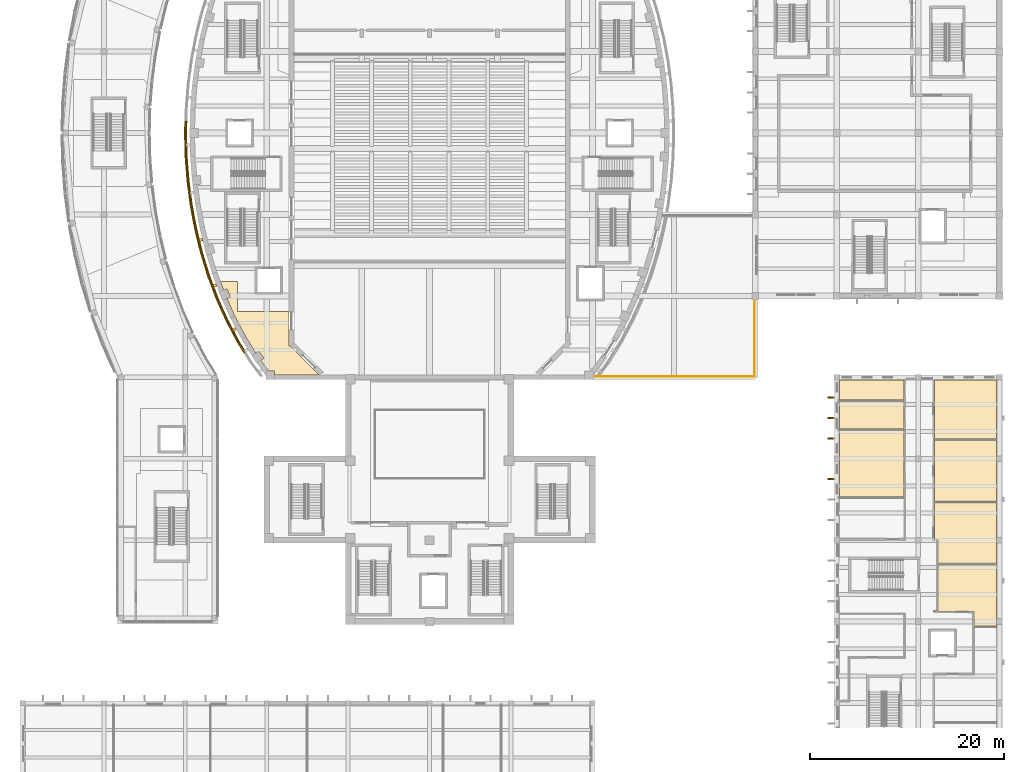
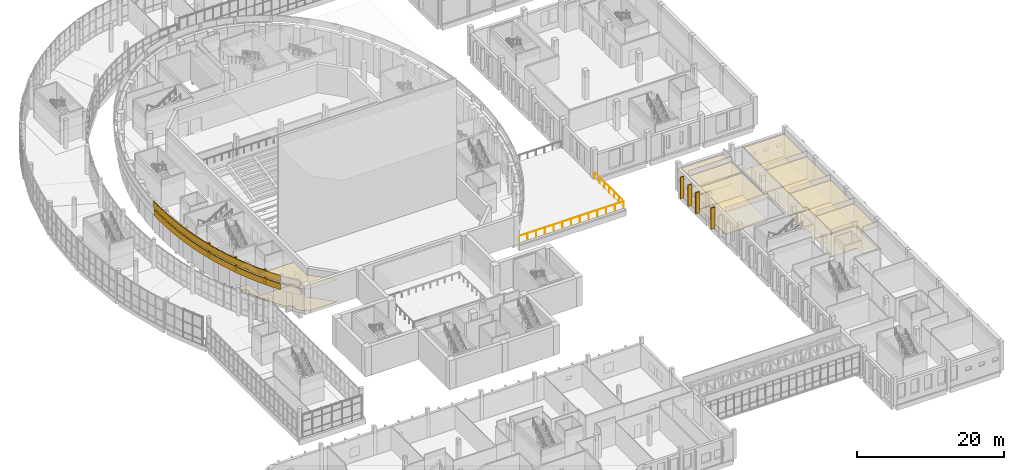
# One storey, part 98 of 119: 28 coverings, 1 railing.
"""IFC4 building model written with IfcOpenShell, lengths in metres."""

from ifc_helpers import new_model, si_unit, direction, frame, origin, origin_2d, place, context, subcontext, project, spatial, polyline, rectangle, circle, outline, extrude, material, layer, layer_set, type_object, element, save


model = new_model("IFC4")

# Units and contexts
model_context = context("Model", 3, precision=1e-05, world=origin(), true_north=direction((0.0, 1.0)))
body_context = subcontext(model_context, "Body", "Model", "MODEL_VIEW")
ifc_project = project(units=[si_unit("LENGTHUNIT", "METRE"), si_unit("AREAUNIT", "SQUARE_METRE"), si_unit("VOLUMEUNIT", "CUBIC_METRE"), si_unit("PLANEANGLEUNIT", "RADIAN"), si_unit("MASSUNIT", "GRAM", prefix="KILO")], contexts=[model_context])

# Site, building, storey
site_placement = place(None, origin())
site = spatial("IfcSite", under=ifc_project, at=site_placement, CompositionType="ELEMENT")
building_placement = place(site_placement, origin())
building = spatial("IfcBuilding", under=site, at=building_placement, Name="Larchfold Concert Hall", CompositionType="ELEMENT")
storey_placement = place(building_placement, frame((0.0, 0.0, 4.800048828125)))
storey = spatial("IfcBuildingStorey", under=building, at=storey_placement, Name="L01", CompositionType="ELEMENT", Elevation=4.800048828125)

# Coverings
ifc_material_1 = material(Name="Mineral fibre ceiling tile")
ifc_layer_1 = layer(ifc_material_1, 0.02001953125)
ifc_layer_set_1 = layer_set([ifc_layer_1], Name="Mineral fibre ceiling tile")
covering_type_1 = type_object("IfcCoveringType", Name="Ceiling mineral fibre tile 20", PredefinedType="CEILING", material=ifc_layer_set_1)
covering_1_placement = place(storey_placement, frame((0.0, 0.0, 3.719970703125)))
element("IfcCovering", 1, at=covering_1_placement, inside=storey, type_object=covering_type_1, Name="Ceiling Musicians' Showers", PredefinedType="CEILING", context=body_context, shape_type="SweptSolid", body=[
    extrude(outline(polyline([(91.534912109375, 47.0), (91.53759765625, 54.0), (91.534912109375, 53.949951171875), (84.900146484375, 53.949951171875), (84.900146484375, 47.050048828125), (91.534912109375, 47.050048828125), (91.534912109375, 47.0)])), origin(), (0.0, 0.0, 1.0), 0.02001953125),
])
ifc_material_2 = material(Name="Plasterboard ceiling lining")
ifc_layer_2 = layer(ifc_material_2, 0.030029296875)
ifc_layer_set_2 = layer_set([ifc_layer_2], Name="Plasterboard ceiling lining")
covering_type_2 = type_object("IfcCoveringType", Name="Ceiling suspended plasterboard 30", PredefinedType="CEILING", material=ifc_layer_set_2)
covering_2_placement = place(storey_placement, frame((0.0, 0.0, 3.669921875)))
element("IfcCovering", 2, at=covering_2_placement, inside=storey, type_object=covering_type_2, Name="Ceiling Hall Foyer South West", PredefinedType="CEILING", context=body_context, shape_type="SweptSolid", body=[
    extrude(outline(polyline([(28.10009765625, 66.199951171875), (22.800048828125, 66.199951171875), (22.800048828125, 69.300048828125), (21.00634765625, 69.300048828125), (21.3505859375, 68.375244140625), (21.7080078125, 68.52099609375), (22.0478515625, 67.6875), (21.690673828125, 67.5419921875), (22.4970703125, 65.731201171875), (23.63134765625, 63.580078125), (24.67626953125, 61.89794921875), (24.993896484375, 62.112060546875), (25.4970703125, 61.36572265625), (25.179931640625, 61.152099609375), (25.987060546875, 60.0498046875), (26.60302734375, 60.0498046875), (26.60302734375, 59.64990234375), (31.196533203125, 59.64990234375), (28.24609375, 62.600341796875), (28.29443359375, 62.648681640625), (28.10009765625, 62.648681640625), (28.10009765625, 66.199951171875)])), origin(), (0.0, 0.0, 1.0), 0.030029296875),
])
covering_3_placement = place(storey_placement, frame((0.0, 0.0, 3.7099609375)))
element("IfcCovering", 3, at=covering_3_placement, inside=storey, type_object=covering_type_2, Name="Ceiling Dressing Room 03", PredefinedType="CEILING", context=body_context, shape_type="SweptSolid", body=[
    extrude(outline(polyline([(95.0615234375, 40.09912109375), (95.0615234375, 35.28857421875), (94.9365234375, 35.28857421875), (94.9365234375, 35.349853515625), (94.60009765625, 35.349853515625), (94.60009765625, 35.199951171875), (94.66162109375, 35.199951171875), (94.661865234375, 35.271240234375), (98.76171875, 35.26123046875), (98.761474609375, 33.663330078125), (98.764892578125, 33.713134765625), (101.099853515625, 33.713134765625), (101.099853515625, 40.049072265625), (95.06494140625, 40.049072265625), (95.0615234375, 40.09912109375)])), origin(), (0.0, 0.0, 1.0), 0.030029296875),
])
covering_4_placement = place(storey_placement, frame((0.0, 0.0, 3.7099609375)))
element("IfcCovering", 4, at=covering_4_placement, inside=storey, type_object=covering_type_2, Name="Ceiling Dressing Room 04", PredefinedType="CEILING", context=body_context, shape_type="SweptSolid", body=[
    extrude(outline(polyline([(94.6650390625, 46.53466796875), (94.66162109375, 42.650146484375), (95.0, 42.650146484375), (95.0, 42.58642578125), (95.0615234375, 42.58642578125), (95.0615234375, 40.09912109375), (95.06494140625, 40.149169921875), (101.099853515625, 40.149169921875), (101.099853515625, 46.48486328125), (94.6650390625, 46.48486328125), (94.6650390625, 46.53466796875)])), origin(), (0.0, 0.0, 1.0), 0.030029296875),
])
covering_5_placement = place(storey_placement, frame((0.0, 0.0, 3.7099609375)))
element("IfcCovering", 5, at=covering_5_placement, inside=storey, type_object=covering_type_2, Name="Ceiling Dressing Room 05", PredefinedType="CEILING", context=body_context, shape_type="SweptSolid", body=[
    extrude(outline(polyline([(94.66162109375, 46.53466796875), (94.6650390625, 46.5849609375), (101.099853515625, 46.5849609375), (101.099853515625, 52.919921875), (94.6650390625, 52.919921875), (94.6650390625, 52.97021484375), (94.66162109375, 46.53466796875)])), origin(), (0.0, 0.0, 1.0), 0.030029296875),
])
covering_6_placement = place(storey_placement, frame((0.0, 0.0, 3.7099609375)))
element("IfcCovering", 6, at=covering_6_placement, inside=storey, type_object=covering_type_2, Name="Ceiling Dressing Room 01", PredefinedType="CEILING", context=body_context, shape_type="SweptSolid", body=[
    extrude(outline(polyline([(91.534912109375, 54.0), (91.53759765625, 57.0), (91.534912109375, 56.949951171875), (84.900146484375, 56.949951171875), (84.900146484375, 54.050048828125), (91.534912109375, 54.050048828125), (91.534912109375, 54.0)])), origin(), (0.0, 0.0, 1.0), 0.030029296875),
])
covering_7_placement = place(storey_placement, frame((0.0, 0.0, 3.7099609375)))
element("IfcCovering", 7, at=covering_7_placement, inside=storey, type_object=covering_type_2, Name="Ceiling Dressing Room 02", PredefinedType="CEILING", context=body_context, shape_type="SweptSolid", body=[
    extrude(outline(polyline([(91.534912109375, 57.0), (91.53759765625, 59.099853515625), (84.900146484375, 59.099853515625), (84.900146484375, 57.050048828125), (91.534912109375, 57.050048828125), (91.534912109375, 57.0)])), origin(), (0.0, 0.0, 1.0), 0.030029296875),
])
covering_8_placement = place(storey_placement, frame((0.0, 0.0, 3.7099609375)))
element("IfcCovering", 8, at=covering_8_placement, inside=storey, type_object=covering_type_2, Name="Ceiling Dressing Room 06", PredefinedType="CEILING", context=body_context, shape_type="SweptSolid", body=[
    extrude(outline(polyline([(94.6650390625, 52.97021484375), (94.6650390625, 53.02001953125), (101.099853515625, 53.02001953125), (101.099853515625, 59.099853515625), (94.66259765625, 59.099853515625), (94.6650390625, 52.97021484375)])), origin(), (0.0, 0.0, 1.0), 0.030029296875),
])
ifc_material_3 = material(Name="Ceramic tile")
ifc_layer_3 = layer(ifc_material_3, 0.030029296875)
ifc_layer_set_3 = layer_set([ifc_layer_3], Name="Ceramic tile")
covering_type_3 = type_object("IfcCoveringType", Name="Floor finish ceramic tile 30", PredefinedType="FLOORING", material=ifc_layer_set_3)
covering_9_placement = place(storey_placement, origin())
element("IfcCovering", 9, at=covering_9_placement, inside=storey, type_object=covering_type_3, Name="Floor finish Musicians' Showers", PredefinedType="FLOORING", context=body_context, shape_type="SweptSolid", body=[
    extrude(outline(polyline([(91.534912109375, 47.0), (91.53759765625, 54.0), (91.534912109375, 53.949951171875), (84.900146484375, 53.949951171875), (84.900146484375, 47.050048828125), (91.534912109375, 47.050048828125), (91.534912109375, 47.0)])), origin(), (0.0, 0.0, 1.0), 0.030029296875),
])
ifc_material_4 = material(Name="Polished terrazzo")
ifc_layer_4 = layer(ifc_material_4, 0.0400390625)
ifc_layer_set_4 = layer_set([ifc_layer_4], Name="Polished terrazzo")
covering_type_4 = type_object("IfcCoveringType", Name="Floor finish terrazzo 40", PredefinedType="FLOORING", material=ifc_layer_set_4)
covering_10_placement = place(storey_placement, origin())
element("IfcCovering", 10, at=covering_10_placement, inside=storey, type_object=covering_type_4, Name="Floor finish Hall Foyer South West", PredefinedType="FLOORING", context=body_context, shape_type="SweptSolid", body=[
    extrude(outline(polyline([(28.10009765625, 66.199951171875), (22.800048828125, 66.199951171875), (22.800048828125, 69.300048828125), (21.00634765625, 69.300048828125), (21.3505859375, 68.375244140625), (21.7080078125, 68.52099609375), (22.0478515625, 67.6875), (21.690673828125, 67.5419921875), (22.4970703125, 65.731201171875), (23.63134765625, 63.580078125), (24.67626953125, 61.89794921875), (24.993896484375, 62.112060546875), (25.4970703125, 61.36572265625), (25.179931640625, 61.152099609375), (25.987060546875, 60.0498046875), (26.60302734375, 60.0498046875), (26.60302734375, 59.64990234375), (31.196533203125, 59.64990234375), (28.24609375, 62.600341796875), (28.29443359375, 62.648681640625), (28.10009765625, 62.648681640625), (28.10009765625, 66.199951171875)])), origin(), (0.0, 0.0, 1.0), 0.0400390625),
])
ifc_material_5 = material(Name="Linoleum sheet")
ifc_layer_5 = layer(ifc_material_5, 0.02001953125)
ifc_layer_set_5 = layer_set([ifc_layer_5], Name="Linoleum sheet")
covering_type_5 = type_object("IfcCoveringType", Name="Floor finish vinyl 20", PredefinedType="FLOORING", material=ifc_layer_set_5)
covering_11_placement = place(storey_placement, origin())
element("IfcCovering", 11, at=covering_11_placement, inside=storey, type_object=covering_type_5, Name="Floor finish Dressing Room 03", PredefinedType="FLOORING", context=body_context, shape_type="SweptSolid", body=[
    extrude(outline(polyline([(95.0615234375, 40.09912109375), (95.0615234375, 35.28857421875), (94.9365234375, 35.28857421875), (94.9365234375, 35.349853515625), (94.60009765625, 35.349853515625), (94.60009765625, 35.199951171875), (94.66162109375, 35.199951171875), (94.661865234375, 35.271240234375), (98.76171875, 35.26123046875), (98.761474609375, 33.663330078125), (98.764892578125, 33.713134765625), (101.099853515625, 33.713134765625), (101.099853515625, 40.049072265625), (95.06494140625, 40.049072265625), (95.0615234375, 40.09912109375)])), origin(), (0.0, 0.0, 1.0), 0.02001953125),
])
covering_12_placement = place(storey_placement, origin())
element("IfcCovering", 12, at=covering_12_placement, inside=storey, type_object=covering_type_5, Name="Floor finish Dressing Room 04", PredefinedType="FLOORING", context=body_context, shape_type="SweptSolid", body=[
    extrude(outline(polyline([(94.6650390625, 46.53466796875), (94.66162109375, 42.650146484375), (95.0, 42.650146484375), (95.0, 42.58642578125), (95.0615234375, 42.58642578125), (95.0615234375, 40.09912109375), (95.06494140625, 40.149169921875), (101.099853515625, 40.149169921875), (101.099853515625, 46.48486328125), (94.6650390625, 46.48486328125), (94.6650390625, 46.53466796875)])), origin(), (0.0, 0.0, 1.0), 0.02001953125),
])
covering_13_placement = place(storey_placement, origin())
element("IfcCovering", 13, at=covering_13_placement, inside=storey, type_object=covering_type_5, Name="Floor finish Dressing Room 05", PredefinedType="FLOORING", context=body_context, shape_type="SweptSolid", body=[
    extrude(outline(polyline([(94.66162109375, 46.53466796875), (94.6650390625, 46.5849609375), (101.099853515625, 46.5849609375), (101.099853515625, 52.919921875), (94.6650390625, 52.919921875), (94.6650390625, 52.97021484375), (94.66162109375, 46.53466796875)])), origin(), (0.0, 0.0, 1.0), 0.02001953125),
])
covering_14_placement = place(storey_placement, origin())
element("IfcCovering", 14, at=covering_14_placement, inside=storey, type_object=covering_type_5, Name="Floor finish Dressing Room 01", PredefinedType="FLOORING", context=body_context, shape_type="SweptSolid", body=[
    extrude(outline(polyline([(91.534912109375, 54.0), (91.53759765625, 57.0), (91.534912109375, 56.949951171875), (84.900146484375, 56.949951171875), (84.900146484375, 54.050048828125), (91.534912109375, 54.050048828125), (91.534912109375, 54.0)])), origin(), (0.0, 0.0, 1.0), 0.02001953125),
])
covering_15_placement = place(storey_placement, origin())
element("IfcCovering", 15, at=covering_15_placement, inside=storey, type_object=covering_type_5, Name="Floor finish Dressing Room 02", PredefinedType="FLOORING", context=body_context, shape_type="SweptSolid", body=[
    extrude(outline(polyline([(91.534912109375, 57.0), (91.53759765625, 59.099853515625), (84.900146484375, 59.099853515625), (84.900146484375, 57.050048828125), (91.534912109375, 57.050048828125), (91.534912109375, 57.0)])), origin(), (0.0, 0.0, 1.0), 0.02001953125),
])
covering_16_placement = place(storey_placement, origin())
element("IfcCovering", 16, at=covering_16_placement, inside=storey, type_object=covering_type_5, Name="Floor finish Dressing Room 06", PredefinedType="FLOORING", context=body_context, shape_type="SweptSolid", body=[
    extrude(outline(polyline([(94.6650390625, 52.97021484375), (94.6650390625, 53.02001953125), (101.099853515625, 53.02001953125), (101.099853515625, 59.099853515625), (94.66259765625, 59.099853515625), (94.6650390625, 52.97021484375)])), origin(), (0.0, 0.0, 1.0), 0.02001953125),
])
ifc_material_6 = material(Name="Glulam GL30c", Category="wood")
ifc_layer_6 = layer(ifc_material_6, 0.159912109375)
ifc_layer_set_6 = layer_set([ifc_layer_6], Name="Glulam GL30c")
covering_type_6 = type_object("IfcCoveringType", Name="Glulam fin 160x600", PredefinedType="CLADDING", material=ifc_layer_set_6)
covering_17_placement = place(storey_placement, frame((0.0, 0.0, 0.199951171875)))
element("IfcCovering", 17, at=covering_17_placement, inside=storey, type_object=covering_type_6, Name="Glulam fin FN-L01-051", PredefinedType="CLADDING", context=body_context, shape_type="SweptSolid", body=[
    extrude(outline(polyline([(84.275146484375, 53.02001953125), (84.275146484375, 53.179931640625), (83.675048828125, 53.179931640625), (83.675048828125, 53.02001953125), (84.275146484375, 53.02001953125)])), origin(), (0.0, 0.0, 1.0), 3.5400390625),
])
covering_18_placement = place(storey_placement, frame((0.0, 0.0, 0.199951171875)))
element("IfcCovering", 18, at=covering_18_placement, inside=storey, type_object=covering_type_6, Name="Glulam fin FN-L01-052", PredefinedType="CLADDING", context=body_context, shape_type="SweptSolid", body=[
    extrude(outline(polyline([(84.275146484375, 55.1201171875), (84.275146484375, 55.280029296875), (83.675048828125, 55.280029296875), (83.675048828125, 55.1201171875), (84.275146484375, 55.1201171875)])), origin(), (0.0, 0.0, 1.0), 3.5400390625),
])
covering_19_placement = place(storey_placement, frame((0.0, 0.0, 0.199951171875)))
element("IfcCovering", 19, at=covering_19_placement, inside=storey, type_object=covering_type_6, Name="Glulam fin FN-L01-053", PredefinedType="CLADDING", context=body_context, shape_type="SweptSolid", body=[
    extrude(outline(polyline([(84.275146484375, 57.219970703125), (84.275146484375, 57.3798828125), (83.675048828125, 57.3798828125), (83.675048828125, 57.219970703125), (84.275146484375, 57.219970703125)])), origin(), (0.0, 0.0, 1.0), 3.5400390625),
])
covering_20_placement = place(storey_placement, frame((0.0, 0.0, 0.199951171875)))
element("IfcCovering", 20, at=covering_20_placement, inside=storey, type_object=covering_type_6, Name="Glulam fin FN-L01-056", PredefinedType="CLADDING", context=body_context, shape_type="SweptSolid", body=[
    extrude(outline(polyline([(84.275146484375, 48.820068359375), (84.275146484375, 48.97998046875), (83.675048828125, 48.97998046875), (83.675048828125, 48.820068359375), (84.275146484375, 48.820068359375)])), origin(), (0.0, 0.0, 1.0), 3.5400390625),
])
ifc_material_7 = material(Name="Powder-coated orange aluminium", Category="aluminium")
ifc_layer_7 = layer(ifc_material_7, 0.14990234375)
ifc_layer_set_7 = layer_set([ifc_layer_7], Name="Powder-coated orange aluminium")
covering_type_7 = type_object("IfcCoveringType", Name="Orange aluminium ring cladding", PredefinedType="CLADDING", material=ifc_layer_set_7)
covering_21_placement = place(storey_placement, frame((0.0, 0.0, 3.300048828125)))
element("IfcCovering", 21, at=covering_21_placement, inside=storey, type_object=covering_type_7, Name="Ring band R01c", PredefinedType="CLADDING", context=body_context, shape_type="SweptSolid", body=[
    extrude(outline(polyline([(17.550048828125, 84.60009765625), (17.581298828125, 85.81298828125), (17.431396484375, 85.8203125), (17.39990234375, 84.60009765625), (17.46435546875, 82.115478515625), (17.658203125, 79.63720703125), (17.982666015625, 77.172119140625), (18.439208984375, 74.727294921875), (19.030029296875, 72.31005859375), (19.75830078125, 69.92919921875), (20.627685546875, 67.59423828125), (21.641845703125, 65.315673828125), (22.806640625, 63.107177734375), (23.52978515625, 61.943115234375), (23.63134765625, 62.06396484375), (22.936767578125, 63.181640625), (21.77685546875, 65.38134765625), (20.7666015625, 67.65087890625), (19.900634765625, 69.9775390625), (19.1748046875, 72.349853515625), (18.5859375, 74.7587890625), (18.130859375, 77.19580078125), (17.807373046875, 79.65283203125), (17.614013671875, 82.123291015625), (17.550048828125, 84.60009765625)])), origin(), (0.0, 0.0, 1.0), 1.0),
])
covering_22_placement = place(storey_placement, frame((0.0, 0.0, 4.699951171875)))
element("IfcCovering", 22, at=covering_22_placement, inside=storey, type_object=covering_type_7, Name="Ring band R02c", PredefinedType="CLADDING", context=body_context, shape_type="SweptSolid", body=[
    extrude(outline(polyline([(17.449951171875, 84.60009765625), (17.4814453125, 85.81787109375), (17.33154296875, 85.8251953125), (17.2998046875, 84.60009765625), (17.3642578125, 82.1103515625), (17.558837890625, 79.626708984375), (17.8837890625, 77.156494140625), (18.341552734375, 74.7060546875), (18.93359375, 72.28369140625), (19.66357421875, 69.897216796875), (20.534912109375, 67.556396484375), (21.5517578125, 65.27197265625), (22.7197265625, 63.057373046875), (23.462158203125, 61.862548828125), (23.563720703125, 61.9833984375), (22.85009765625, 63.132080078125), (21.686767578125, 65.337646484375), (20.673828125, 67.613037109375), (19.805908203125, 69.9453125), (19.078369140625, 72.323486328125), (18.48828125, 74.73779296875), (18.031982421875, 77.18017578125), (17.7080078125, 79.642333984375), (17.51416015625, 82.1181640625), (17.449951171875, 84.60009765625)])), origin(), (0.0, 0.0, 1.0), 1.0),
])
ifc_material_8 = material(Name="Galvanised steel bracket", Category="steel")
ifc_layer_8 = layer(ifc_material_8, 0.300048828125)
ifc_layer_set_8 = layer_set([ifc_layer_8], Name="Galvanised steel bracket")
covering_type_8 = type_object("IfcCoveringType", Name="Ring support bracket", PredefinedType="CLADDING", material=ifc_layer_set_8)
for number, where, z_axis, x_axis, name in (
    (23, (19.026123046875, 73.590087890625, 3.35009765625), (0.0, 0.0, 1.0), (-0.971411707345, -0.237401126438, 0.0), "Ring bracket BR-R01-22"),
    (24, (20.47412109375, 68.86669921875, 3.35009765625), (0.0, 0.0, 1.0), (-0.937177411386, -0.348853120364, 0.0), "Ring bracket BR-R01-23"),
    (25, (22.489501953125, 64.351806640625, 3.35009765625), (0.0, 0.0, 1.0), (-0.884535681061, -0.466472538238, 0.0), "Ring bracket BR-R01-24"),
):
    element("IfcCovering", number, at=place(storey_placement, frame(where, z_axis=z_axis, x_axis=x_axis)), inside=storey, type_object=covering_type_8, Name=name, PredefinedType="CLADDING", context=body_context, shape_type="SweptSolid", body=[
        extrude(rectangle(XDim=0.300048828125, YDim=0.300048828125, at=origin_2d()), origin(), (0.0, 0.0, 1.0), 0.89990234375),
    ])
for number, where, z_axis, x_axis, name in (
    (26, (18.9775390625, 73.578369140625, 4.75), (0.0, 0.0, 1.0), (-0.971411707345, -0.237401126438, 0.0), "Ring bracket BR-R02-22"),
    (27, (20.42724609375, 68.849365234375, 4.75), (0.0, 0.0, 1.0), (-0.937177411386, -0.348853120364, 0.0), "Ring bracket BR-R02-23"),
    (28, (22.445068359375, 64.328369140625, 4.75), (0.0, 0.0, 1.0), (-0.884535681061, -0.466472538238, 0.0), "Ring bracket BR-R02-24"),
):
    element("IfcCovering", number, at=place(storey_placement, frame(where, z_axis=z_axis, x_axis=x_axis)), inside=storey, type_object=covering_type_8, Name=name, PredefinedType="CLADDING", context=body_context, shape_type="SweptSolid", body=[
        extrude(rectangle(XDim=0.39990234375, YDim=0.300048828125, at=origin_2d()), origin(), (0.0, 0.0, 1.0), 0.89990234375),
    ])

# Railing
ifc_material_9 = material(Name="Graphite painted steel guard", Category="steel")
railing_type = type_object("IfcRailingType", Name="Roof guard 1100", PredefinedType="GUARDRAIL", material=ifc_material_9)
railing_placement = place(storey_placement, frame((76.099853515625, 67.400146484375, 0.0)))
element("IfcRailing", 29, at=railing_placement, inside=storey, type_object=railing_type, Name="Terrace guard GR0013", PredefinedType="GUARDRAIL", context=body_context, shape_type="SweptSolid", body=[
    extrude(circle(Radius=0.02392578125, at=origin_2d()), frame((0.0, 0.0, 1.076171875), z_axis=(0.0, -1.0, 0.0), x_axis=(1.0, 0.0, 0.0)), (0.0, 0.0, 1.0), 7.900146484375),
    extrude(circle(Radius=0.02392578125, at=origin_2d()), frame((0.0, -7.900146484375, 1.076171875), z_axis=(-1.0, 0.0, 0.0), x_axis=(0.0, -1.0, 0.0)), (0.0, 0.0, 1.0), 16.52099609375),
    extrude(circle(Radius=0.02099609375, at=origin_2d()), origin(), (0.0, 0.0, 1.0), 1.052001953125),
    extrude(circle(Radius=0.02099609375, at=origin_2d()), frame((0.0, -1.316650390625, 0.0)), (0.0, 0.0, 1.0), 1.052001953125),
    extrude(circle(Radius=0.02099609375, at=origin_2d()), frame((0.0, -2.63330078125, 0.0)), (0.0, 0.0, 1.0), 1.052001953125),
    extrude(circle(Radius=0.02099609375, at=origin_2d()), frame((0.0, -3.9501953125, 0.0)), (0.0, 0.0, 1.0), 1.052001953125),
    extrude(circle(Radius=0.02099609375, at=origin_2d()), frame((0.0, -5.266845703125, 0.0)), (0.0, 0.0, 1.0), 1.052001953125),
    extrude(circle(Radius=0.02099609375, at=origin_2d()), frame((0.0, -6.58349609375, 0.0)), (0.0, 0.0, 1.0), 1.052001953125),
    extrude(circle(Radius=0.02099609375, at=origin_2d()), frame((0.0, -7.900146484375, 0.0)), (0.0, 0.0, 1.0), 1.052001953125),
    extrude(circle(Radius=0.02099609375, at=origin_2d()), frame((-1.376708984375, -7.900146484375, 0.0)), (0.0, 0.0, 1.0), 1.052001953125),
    extrude(circle(Radius=0.02099609375, at=origin_2d()), frame((-2.75341796875, -7.900146484375, 0.0)), (0.0, 0.0, 1.0), 1.052001953125),
    extrude(circle(Radius=0.02099609375, at=origin_2d()), frame((-4.13037109375, -7.900146484375, 0.0)), (0.0, 0.0, 1.0), 1.052001953125),
    extrude(circle(Radius=0.02099609375, at=origin_2d()), frame((-5.507080078125, -7.900146484375, 0.0)), (0.0, 0.0, 1.0), 1.052001953125),
    extrude(circle(Radius=0.02099609375, at=origin_2d()), frame((-6.8837890625, -7.900146484375, 0.0)), (0.0, 0.0, 1.0), 1.052001953125),
    extrude(circle(Radius=0.02099609375, at=origin_2d()), frame((-8.260498046875, -7.900146484375, 0.0)), (0.0, 0.0, 1.0), 1.052001953125),
    extrude(circle(Radius=0.02099609375, at=origin_2d()), frame((-9.63720703125, -7.900146484375, 0.0)), (0.0, 0.0, 1.0), 1.052001953125),
    extrude(circle(Radius=0.02099609375, at=origin_2d()), frame((-11.013916015625, -7.900146484375, 0.0)), (0.0, 0.0, 1.0), 1.052001953125),
    extrude(circle(Radius=0.02099609375, at=origin_2d()), frame((-12.390625, -7.900146484375, 0.0)), (0.0, 0.0, 1.0), 1.052001953125),
    extrude(circle(Radius=0.02099609375, at=origin_2d()), frame((-13.767578125, -7.900146484375, 0.0)), (0.0, 0.0, 1.0), 1.052001953125),
    extrude(circle(Radius=0.02099609375, at=origin_2d()), frame((-15.144287109375, -7.900146484375, 0.0)), (0.0, 0.0, 1.0), 1.052001953125),
    extrude(circle(Radius=0.02099609375, at=origin_2d()), frame((-16.52099609375, -7.900146484375, 0.0)), (0.0, 0.0, 1.0), 1.052001953125),
])

save(model, "model.ifc")
